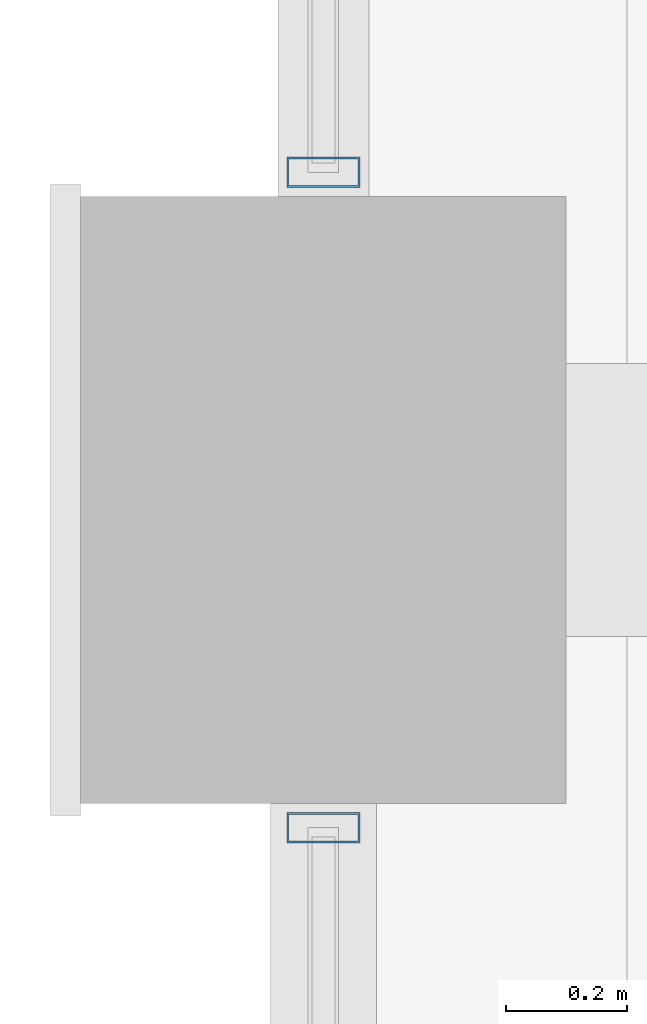
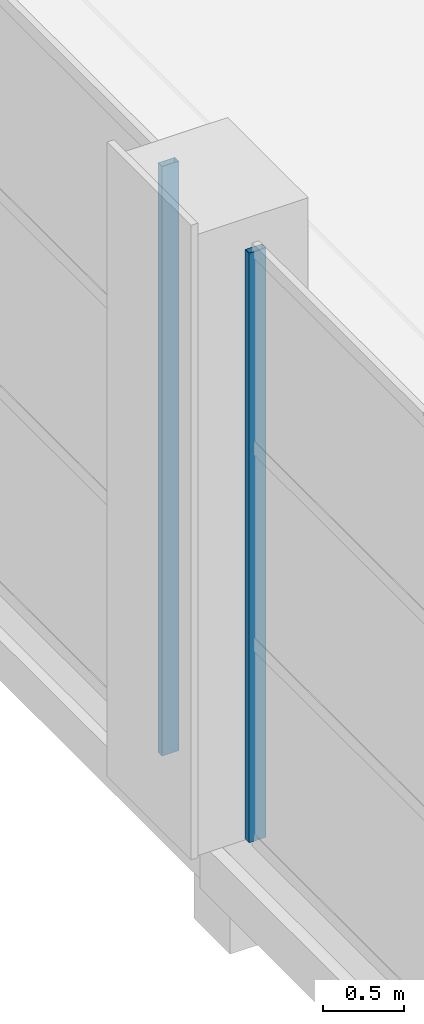
# One storey, part 37 of 112: 2 members, 2 elements without a shape of their own.
"""IFC4 building model written with IfcOpenShell, lengths in metres."""

from ifc_helpers import new_model, si_unit, direction, frame, origin, origin_2d, place, context, subcontext, project, spatial, hollow_rectangle, extrude, material, material_profile, profile_set, type_object, element, aggregate, save


model = new_model("IFC4")

# Units and contexts
model_context = context("Model", 3, precision=1e-05, world=origin(), true_north=direction((0.0, 1.0)))
body_context = subcontext(model_context, "Body", "Model", "MODEL_VIEW")
ifc_project = project(units=[si_unit("LENGTHUNIT", "METRE"), si_unit("AREAUNIT", "SQUARE_METRE"), si_unit("VOLUMEUNIT", "CUBIC_METRE"), si_unit("PLANEANGLEUNIT", "RADIAN"), si_unit("MASSUNIT", "GRAM", prefix="KILO")], contexts=[model_context])

# Site, building, storey
site_placement = place(None, origin())
site = spatial("IfcSite", under=ifc_project, at=site_placement, CompositionType="ELEMENT")
building_placement = place(site_placement, origin())
building = spatial("IfcBuilding", under=site, at=building_placement, Name="Solvikara Media Centre", CompositionType="ELEMENT")
storey_placement = place(building_placement, frame((0.0, 0.0, 5.39990234375)))
storey = spatial("IfcBuildingStorey", under=building, at=storey_placement, Name="L01", CompositionType="ELEMENT", Elevation=5.39990234375)

# Curtain wall, member
ifc_material = material(Name="Anodised aluminium EN AW-6063", Category="aluminium")
curtain_wall_type = type_object("IfcCurtainWallType", Name="CW-12", PredefinedType="NOTDEFINED", material=ifc_material)
curtain_wall_1_placement = place(storey_placement, origin())
curtain_wall_1 = element("IfcCurtainWall", 1, at=curtain_wall_1_placement, inside=storey, type_object=curtain_wall_type, Name="CW-L01-V2W-S1", PredefinedType="NOTDEFINED")
ifc_material_profile = material_profile(ifc_material, hollow_rectangle(XDim=0.050048828125, YDim=0.1201171875, WallThickness=0.0029296875, at=origin_2d()), Name="ALU-M 50x120x3")
ifc_profile_set = profile_set([ifc_material_profile], Name="Anodised aluminium EN AW-6063")
member_type = type_object("IfcMemberType", Name="MF-06", PredefinedType="MULLION", material=ifc_profile_set)
member_1_placement = place(storey_placement, frame((127.5, 58.4599609375, 0.02001953125), z_axis=(0.0, 0.0, 1.0), x_axis=(0.0, 1.0, 0.0)))
member_1 = element("IfcMember", 2, at=member_1_placement, type_object=member_type, Name="CW-L01-V2W-S1-M02", PredefinedType="MULLION", context=body_context, shape_type="SweptSolid", body=[
    extrude(hollow_rectangle(XDim=0.050048828125, YDim=0.1201171875, WallThickness=0.0029296875, at=origin_2d()), origin(), (0.0, 0.0, 1.0), 4.4599609375),
])
aggregate(curtain_wall_1, [member_1])

curtain_wall_2_placement = place(storey_placement, origin())
curtain_wall_2 = element("IfcCurtainWall", 3, at=curtain_wall_2_placement, inside=storey, type_object=curtain_wall_type, Name="CW-L01-V2W-S2", PredefinedType="NOTDEFINED")
member_2_placement = place(storey_placement, frame((127.5, 59.5400390625, 0.02001953125), z_axis=(0.0, 0.0, 1.0), x_axis=(0.0, 1.0, 0.0)))
member_2 = element("IfcMember", 4, at=member_2_placement, type_object=member_type, Name="CW-L01-V2W-S2-M00", PredefinedType="MULLION", context=body_context, shape_type="SweptSolid", body=[
    extrude(hollow_rectangle(XDim=0.050048828125, YDim=0.1201171875, WallThickness=0.0029296875, at=origin_2d()), origin(), (0.0, 0.0, 1.0), 4.4599609375),
])
aggregate(curtain_wall_2, [member_2])

save(model, "model.ifc")
